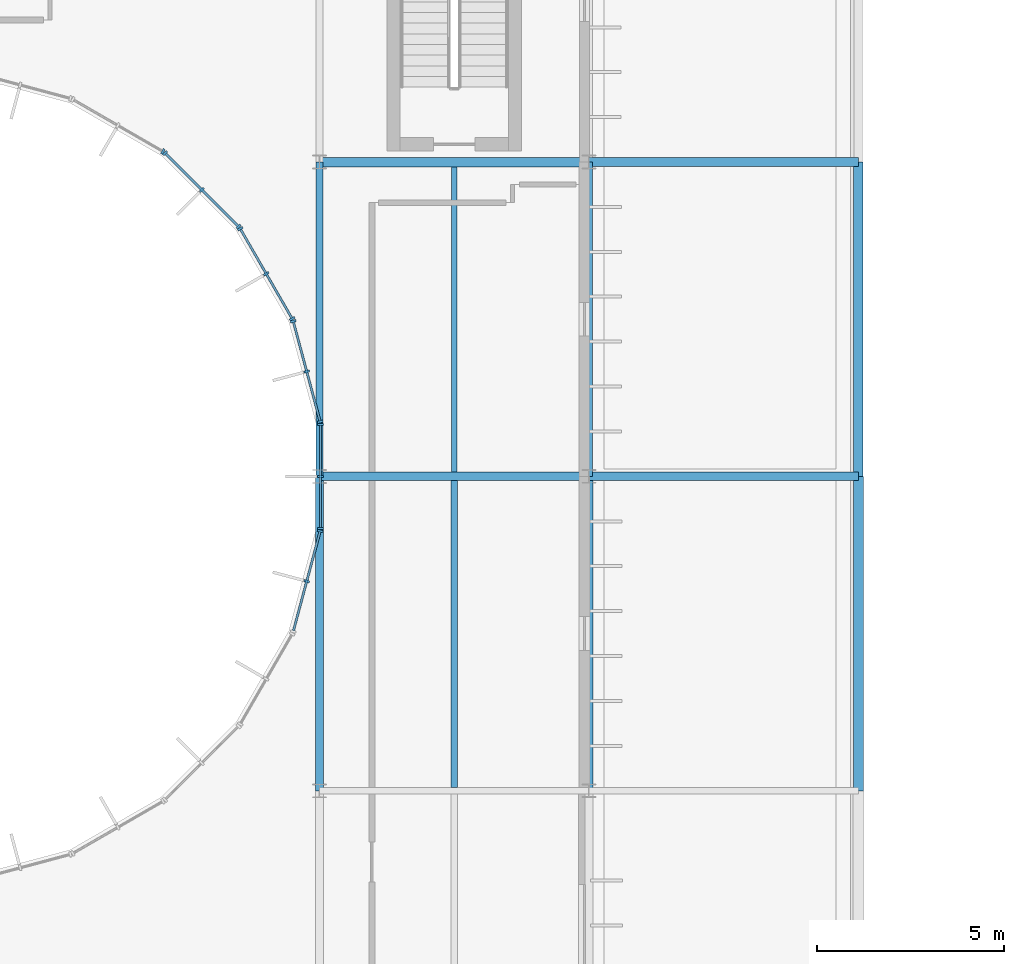
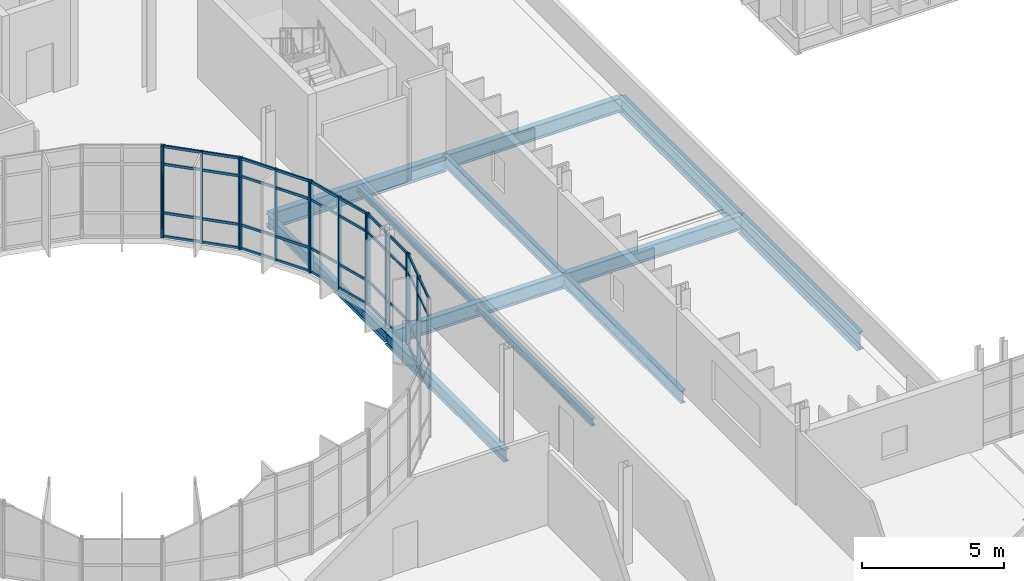
# One storey, part 43 of 99: 35 members, 12 beams, 6 elements without a shape of their own.
"""IFC4 building model written with IfcOpenShell, lengths in metres."""

from ifc_helpers import new_model, si_unit, direction, frame, origin, origin_2d, place, context, subcontext, project, spatial, rectangle, i_section, extrude, material, material_profile, profile_set, type_object, element, aggregate, save


model = new_model("IFC4")

# Units and contexts
model_context = context("Model", 3, precision=1e-05, world=origin(), true_north=direction((0.0, 1.0)))
body_context = subcontext(model_context, "Body", "Model", "MODEL_VIEW")
ifc_project = project(units=[si_unit("LENGTHUNIT", "METRE"), si_unit("AREAUNIT", "SQUARE_METRE"), si_unit("VOLUMEUNIT", "CUBIC_METRE"), si_unit("PLANEANGLEUNIT", "RADIAN"), si_unit("MASSUNIT", "GRAM", prefix="KILO")], contexts=[model_context])

# Site, building, storey
site_placement = place(None, origin())
site = spatial("IfcSite", under=ifc_project, at=site_placement, CompositionType="ELEMENT")
building_placement = place(site_placement, origin())
building = spatial("IfcBuilding", under=site, at=building_placement, Name="Qelthora Terrace Specialist Clinic", CompositionType="ELEMENT")
storey_placement = place(building_placement, frame((0.0, 0.0, 9.0)))
storey = spatial("IfcBuildingStorey", under=building, at=storey_placement, Name="L02", CompositionType="ELEMENT", Elevation=9.0)

# Beams
ifc_material_1 = material(Name="Steel S355", Category="steel")
ifc_material_profile_1 = material_profile(ifc_material_1, i_section(OverallWidth=0.193115234375, OverallDepth=0.466064453125, WebThickness=0.011474609375, FlangeThickness=0.01904296875, FilletRadius=0.012939453125, at=origin_2d()), Name="W460X97")
ifc_profile_set_1 = profile_set([ifc_material_profile_1], Name="Steel S355")
beam_type_1 = type_object("IfcBeamType", Name="BM-W460X97", PredefinedType="BEAM", material=ifc_profile_set_1)
for number, where, z_axis, x_axis, name in (
    (1, (36.0, 84.0, -0.48291015625), (0.0, 1.0, 0.0), (-1.0, 0.0, 0.0), "Girder BMY-L02-0787"),
    (2, (43.199951171875, 84.0, -0.48291015625), (0.0, 1.0, 0.0), (-1.0, 0.0, 0.0), "Girder BMY-L02-0797"),
):
    element("IfcBeam", number, at=place(storey_placement, frame(where, z_axis=z_axis, x_axis=x_axis)), inside=storey, type_object=beam_type_1, Name=name, PredefinedType="BEAM", context=body_context, shape_type="SweptSolid", body=[
        extrude(i_section(OverallWidth=0.193115234375, OverallDepth=0.466064453125, WebThickness=0.011474609375, FlangeThickness=0.01904296875, FilletRadius=0.012939453125, at=origin_2d()), origin(), (0.0, 0.0, 1.0), 8.39990234375),
    ])
ifc_material_profile_2 = material_profile(ifc_material_1, i_section(OverallWidth=0.2099609375, OverallDepth=0.537109375, WebThickness=0.010986328125, FlangeThickness=0.017333984375, FilletRadius=0.013916015625, at=origin_2d()), Name="W530X101")
ifc_profile_set_2 = profile_set([ifc_material_profile_2], Name="Steel S355")
beam_type_2 = type_object("IfcBeamType", Name="BM-W530X101", PredefinedType="BEAM", material=ifc_profile_set_2)
for number, where, z_axis, x_axis, name in (
    (3, (36.0, 75.60009765625, -0.5185546875), (0.0, 1.0, 0.0), (-1.0, 0.0, 0.0), "Girder BMY-L02-0786"),
    (4, (43.199951171875, 75.60009765625, -0.5185546875), (0.0, 1.0, 0.0), (-1.0, 0.0, 0.0), "Girder BMY-L02-0796"),
):
    element("IfcBeam", number, at=place(storey_placement, frame(where, z_axis=z_axis, x_axis=x_axis)), inside=storey, type_object=beam_type_2, Name=name, PredefinedType="BEAM", context=body_context, shape_type="SweptSolid", body=[
        extrude(i_section(OverallWidth=0.2099609375, OverallDepth=0.537109375, WebThickness=0.010986328125, FlangeThickness=0.017333984375, FilletRadius=0.013916015625, at=origin_2d()), origin(), (0.0, 0.0, 1.0), 8.39990234375),
    ])
ifc_material_profile_3 = material_profile(ifc_material_1, i_section(OverallWidth=0.22900390625, OverallDepth=0.612060546875, WebThickness=0.011962890625, FlangeThickness=0.01953125, FilletRadius=0.01611328125, at=origin_2d()), Name="W610X125")
ifc_profile_set_3 = profile_set([ifc_material_profile_3], Name="Steel S355")
beam_type_3 = type_object("IfcBeamType", Name="BM-W610X125", PredefinedType="BEAM", material=ifc_profile_set_3)
beam_1_placement = place(storey_placement, frame((43.199951171875, 84.0, -0.555908203125), z_axis=(1.0, 0.0, 0.0), x_axis=(0.0, 1.0, 0.0)))
element("IfcBeam", 5, at=beam_1_placement, inside=storey, type_object=beam_type_3, Name="Girder BMX-L02-0676", PredefinedType="BEAM", context=body_context, shape_type="SweptSolid", body=[
    extrude(i_section(OverallWidth=0.22900390625, OverallDepth=0.612060546875, WebThickness=0.011962890625, FlangeThickness=0.01953125, FilletRadius=0.01611328125, at=origin_2d()), origin(), (0.0, 0.0, 1.0), 7.199951171875),
])
ifc_material_profile_4 = material_profile(ifc_material_1, i_section(OverallWidth=0.22998046875, OverallDepth=0.616943359375, WebThickness=0.01318359375, FlangeThickness=0.022216796875, FilletRadius=0.01611328125, at=origin_2d()), Name="W610X140")
ifc_profile_set_4 = profile_set([ifc_material_profile_4], Name="Steel S355")
beam_type_4 = type_object("IfcBeamType", Name="BM-W610X140", PredefinedType="BEAM", material=ifc_profile_set_4)
for number, where, z_axis, x_axis, name in (
    (6, (36.0, 84.0, -0.55859375), (1.0, 0.0, 0.0), (0.0, 1.0, 0.0), "Girder BMX-L02-0675"),
    (7, (43.199951171875, 92.39990234375, -0.55859375), (1.0, 0.0, 0.0), (0.0, 1.0, 0.0), "Girder BMX-L02-0689"),
):
    element("IfcBeam", number, at=place(storey_placement, frame(where, z_axis=z_axis, x_axis=x_axis)), inside=storey, type_object=beam_type_4, Name=name, PredefinedType="BEAM", context=body_context, shape_type="SweptSolid", body=[
        extrude(i_section(OverallWidth=0.22998046875, OverallDepth=0.616943359375, WebThickness=0.01318359375, FlangeThickness=0.022216796875, FilletRadius=0.01611328125, at=origin_2d()), origin(), (0.0, 0.0, 1.0), 7.199951171875),
    ])
ifc_material_profile_5 = material_profile(ifc_material_1, i_section(OverallWidth=0.25390625, OverallDepth=0.68798828125, WebThickness=0.01318359375, FlangeThickness=0.02099609375, FilletRadius=0.01806640625, at=origin_2d()), Name="W690X152")
ifc_profile_set_5 = profile_set([ifc_material_profile_5], Name="Steel S355")
beam_type_5 = type_object("IfcBeamType", Name="BM-W690X152", PredefinedType="BEAM", material=ifc_profile_set_5)
beam_2_placement = place(storey_placement, frame((36.0, 92.39990234375, -0.593994140625), z_axis=(1.0, 0.0, 0.0), x_axis=(0.0, 1.0, 0.0)))
element("IfcBeam", 8, at=beam_2_placement, inside=storey, type_object=beam_type_5, Name="Girder BMX-L02-0688", PredefinedType="BEAM", context=body_context, shape_type="SweptSolid", body=[
    extrude(i_section(OverallWidth=0.25390625, OverallDepth=0.68798828125, WebThickness=0.01318359375, FlangeThickness=0.02099609375, FilletRadius=0.01806640625, at=origin_2d()), origin(), (0.0, 0.0, 1.0), 7.199951171875),
])
ifc_material_profile_6 = material_profile(ifc_material_1, i_section(OverallWidth=0.256103515625, OverallDepth=0.693115234375, WebThickness=0.014404296875, FlangeThickness=0.023681640625, FilletRadius=0.01806640625, at=origin_2d()), Name="W690X170")
ifc_profile_set_6 = profile_set([ifc_material_profile_6], Name="Steel S355")
beam_type_6 = type_object("IfcBeamType", Name="BM-W690X170", PredefinedType="BEAM", material=ifc_profile_set_6)
beam_3_placement = place(storey_placement, frame((50.39990234375, 84.0, -0.596435546875), z_axis=(0.0, 1.0, 0.0), x_axis=(-1.0, 0.0, 0.0)))
element("IfcBeam", 9, at=beam_3_placement, inside=storey, type_object=beam_type_6, Name="Girder BMY-L02-0803", PredefinedType="BEAM", context=body_context, shape_type="SweptSolid", body=[
    extrude(i_section(OverallWidth=0.256103515625, OverallDepth=0.693115234375, WebThickness=0.014404296875, FlangeThickness=0.023681640625, FilletRadius=0.01806640625, at=origin_2d()), origin(), (0.0, 0.0, 1.0), 8.39990234375),
])
ifc_material_profile_7 = material_profile(ifc_material_1, i_section(OverallWidth=0.26806640625, OverallDepth=0.77001953125, WebThickness=0.015625, FlangeThickness=0.025390625, FilletRadius=0.01904296875, at=origin_2d()), Name="W760X196")
ifc_profile_set_7 = profile_set([ifc_material_profile_7], Name="Steel S355")
beam_type_7 = type_object("IfcBeamType", Name="BM-W760X196", PredefinedType="BEAM", material=ifc_profile_set_7)
beam_4_placement = place(storey_placement, frame((50.39990234375, 75.60009765625, -0.635009765625), z_axis=(0.0, 1.0, 0.0), x_axis=(-1.0, 0.0, 0.0)))
element("IfcBeam", 10, at=beam_4_placement, inside=storey, type_object=beam_type_7, Name="Girder BMY-L02-0802", PredefinedType="BEAM", context=body_context, shape_type="SweptSolid", body=[
    extrude(i_section(OverallWidth=0.26806640625, OverallDepth=0.77001953125, WebThickness=0.015625, FlangeThickness=0.025390625, FilletRadius=0.01904296875, at=origin_2d()), origin(), (0.0, 0.0, 1.0), 8.39990234375),
])

# Curtain wall, members
ifc_material_2 = material(Name="Aluminium anodized bronze", Category="aluminium")
curtain_wall_type = type_object("IfcCurtainWallType", Name="CW-CRTW-UPP", PredefinedType="NOTDEFINED", material=ifc_material_2)
curtain_wall_1_placement = place(storey_placement, origin())
curtain_wall_1 = element("IfcCurtainWall", 11, at=curtain_wall_1_placement, inside=storey, type_object=curtain_wall_type, Name="Curtain wall CW-CW-L02-01", PredefinedType="NOTDEFINED")
ifc_material_profile_8 = material_profile(ifc_material_2, rectangle(XDim=0.06005859375, YDim=0.14990234375, at=origin_2d()), Name="CWM60X150")
ifc_profile_set_8 = profile_set([ifc_material_profile_8], Name="Aluminium anodized bronze")
member_type_1 = type_object("IfcMemberType", Name="CWM-60X150", PredefinedType="MULLION", material=ifc_profile_set_8)
member_1_placement = place(storey_placement, frame((36.018310546875, 85.4599609375, 0.0), z_axis=(0.0, 0.0, 1.0), x_axis=(-0.258820356987, 0.96592547477, 0.0)))
member_1 = element("IfcMember", 12, at=member_1_placement, type_object=member_type_1, Name="CW-CW-L02-01 mullion 1", PredefinedType="MULLION", context=body_context, shape_type="SweptSolid", body=[
    extrude(rectangle(XDim=0.06005859375, YDim=0.14990234375, at=origin_2d()), origin(), (0.0, 0.0, 1.0), 3.945068359375),
])
member_2_placement = place(storey_placement, frame((35.65869140625, 86.802490234375, 0.0), z_axis=(0.0, 0.0, 1.0), x_axis=(-0.258820356987, 0.96592547477, 0.0)))
member_2 = element("IfcMember", 13, at=member_2_placement, type_object=member_type_1, Name="CW-CW-L02-01 mullion 2", PredefinedType="MULLION", context=body_context, shape_type="SweptSolid", body=[
    extrude(rectangle(XDim=0.06005859375, YDim=0.14990234375, at=origin_2d()), origin(), (0.0, 0.0, 1.0), 3.945068359375),
])
member_3_placement = place(storey_placement, frame((35.299072265625, 88.144775390625, 0.0), z_axis=(0.0, 0.0, 1.0), x_axis=(-0.258820356987, 0.96592547477, 0.0)))
member_3 = element("IfcMember", 14, at=member_3_placement, type_object=member_type_1, Name="CW-CW-L02-01 mullion 3", PredefinedType="MULLION", context=body_context, shape_type="SweptSolid", body=[
    extrude(rectangle(XDim=0.06005859375, YDim=0.14990234375, at=origin_2d()), origin(), (0.0, 0.0, 1.0), 3.945068359375),
])

curtain_wall_2_placement = place(storey_placement, origin())
curtain_wall_2 = element("IfcCurtainWall", 15, at=curtain_wall_2_placement, inside=storey, type_object=curtain_wall_type, Name="Curtain wall CW-CW-L02-02", PredefinedType="NOTDEFINED")
member_4_placement = place(storey_placement, frame((35.271728515625, 88.210205078125, 0.0), z_axis=(0.0, 0.0, 1.0), x_axis=(-0.499999597971, 0.866025635896, 0.0)))
member_4 = element("IfcMember", 16, at=member_4_placement, type_object=member_type_1, Name="CW-CW-L02-02 mullion 1", PredefinedType="MULLION", context=body_context, shape_type="SweptSolid", body=[
    extrude(rectangle(XDim=0.06005859375, YDim=0.14990234375, at=origin_2d()), origin(), (0.0, 0.0, 1.0), 3.945068359375),
])
member_5_placement = place(storey_placement, frame((34.576904296875, 89.413818359375, 0.0), z_axis=(0.0, 0.0, 1.0), x_axis=(-0.499999597971, 0.866025635896, 0.0)))
member_5 = element("IfcMember", 17, at=member_5_placement, type_object=member_type_1, Name="CW-CW-L02-02 mullion 2", PredefinedType="MULLION", context=body_context, shape_type="SweptSolid", body=[
    extrude(rectangle(XDim=0.06005859375, YDim=0.14990234375, at=origin_2d()), origin(), (0.0, 0.0, 1.0), 3.945068359375),
])
member_6_placement = place(storey_placement, frame((33.882080078125, 90.6171875, 0.0), z_axis=(0.0, 0.0, 1.0), x_axis=(-0.499999597971, 0.866025635896, 0.0)))
member_6 = element("IfcMember", 18, at=member_6_placement, type_object=member_type_1, Name="CW-CW-L02-02 mullion 3", PredefinedType="MULLION", context=body_context, shape_type="SweptSolid", body=[
    extrude(rectangle(XDim=0.06005859375, YDim=0.14990234375, at=origin_2d()), origin(), (0.0, 0.0, 1.0), 3.945068359375),
])

curtain_wall_3_placement = place(storey_placement, origin())
curtain_wall_3 = element("IfcCurtainWall", 19, at=curtain_wall_3_placement, inside=storey, type_object=curtain_wall_type, Name="Curtain wall CW-CW-L02-03", PredefinedType="NOTDEFINED")
member_7_placement = place(storey_placement, frame((33.8388671875, 90.673583984375, 0.0), z_axis=(0.0, 0.0, 1.0), x_axis=(-0.707106781187, 0.707106781187, 0.0)))
member_7 = element("IfcMember", 20, at=member_7_placement, type_object=member_type_1, Name="CW-CW-L02-03 mullion 1", PredefinedType="MULLION", context=body_context, shape_type="SweptSolid", body=[
    extrude(rectangle(XDim=0.06005859375, YDim=0.14990234375, at=origin_2d()), origin(), (0.0, 0.0, 1.0), 3.945068359375),
])
member_8_placement = place(storey_placement, frame((32.856201171875, 91.65625, 0.0), z_axis=(0.0, 0.0, 1.0), x_axis=(-0.707106781187, 0.707106781187, 0.0)))
member_8 = element("IfcMember", 21, at=member_8_placement, type_object=member_type_1, Name="CW-CW-L02-03 mullion 2", PredefinedType="MULLION", context=body_context, shape_type="SweptSolid", body=[
    extrude(rectangle(XDim=0.06005859375, YDim=0.14990234375, at=origin_2d()), origin(), (0.0, 0.0, 1.0), 3.945068359375),
])
member_9_placement = place(storey_placement, frame((31.87353515625, 92.638916015625, 0.0), z_axis=(0.0, 0.0, 1.0), x_axis=(-0.707106781187, 0.707106781187, 0.0)))
member_9 = element("IfcMember", 22, at=member_9_placement, type_object=member_type_1, Name="CW-CW-L02-03 mullion 3", PredefinedType="MULLION", context=body_context, shape_type="SweptSolid", body=[
    extrude(rectangle(XDim=0.06005859375, YDim=0.14990234375, at=origin_2d()), origin(), (0.0, 0.0, 1.0), 3.945068359375),
])

# Curtain wall, member
curtain_wall_4_placement = place(storey_placement, origin())
curtain_wall_4 = element("IfcCurtainWall", 23, at=curtain_wall_4_placement, inside=storey, type_object=curtain_wall_type, Name="Curtain wall CW-CW-L02-04", PredefinedType="NOTDEFINED")
member_10_placement = place(storey_placement, frame((31.8173828125, 92.68212890625, 0.0), z_axis=(0.0, 0.0, 1.0), x_axis=(-0.866025635896, 0.499999597971, 0.0)))
member_10 = element("IfcMember", 24, at=member_10_placement, type_object=member_type_1, Name="CW-CW-L02-04 mullion 1", PredefinedType="MULLION", context=body_context, shape_type="SweptSolid", body=[
    extrude(rectangle(XDim=0.06005859375, YDim=0.14990234375, at=origin_2d()), origin(), (0.0, 0.0, 1.0), 3.945068359375),
])
aggregate(curtain_wall_4, [member_10])

# Curtain wall, members
curtain_wall_5_placement = place(storey_placement, origin())
curtain_wall_5 = element("IfcCurtainWall", 25, at=curtain_wall_5_placement, inside=storey, type_object=curtain_wall_type, Name="Curtain wall CW-CW-L02-23", PredefinedType="NOTDEFINED")
member_11_placement = place(storey_placement, frame((35.65869140625, 81.197509765625, 0.0), z_axis=(0.0, 0.0, 1.0), x_axis=(0.258820356987, 0.96592547477, 0.0)))
member_11 = element("IfcMember", 26, at=member_11_placement, type_object=member_type_1, Name="CW-CW-L02-23 mullion 2", PredefinedType="MULLION", context=body_context, shape_type="SweptSolid", body=[
    extrude(rectangle(XDim=0.06005859375, YDim=0.14990234375, at=origin_2d()), origin(), (0.0, 0.0, 1.0), 3.945068359375),
])
member_12_placement = place(storey_placement, frame((36.018310546875, 82.5400390625, 0.0), z_axis=(0.0, 0.0, 1.0), x_axis=(0.258820356987, 0.96592547477, 0.0)))
member_12 = element("IfcMember", 27, at=member_12_placement, type_object=member_type_1, Name="CW-CW-L02-23 mullion 3", PredefinedType="MULLION", context=body_context, shape_type="SweptSolid", body=[
    extrude(rectangle(XDim=0.06005859375, YDim=0.14990234375, at=origin_2d()), origin(), (0.0, 0.0, 1.0), 3.945068359375),
])

curtain_wall_6_placement = place(storey_placement, origin())
curtain_wall_6 = element("IfcCurtainWall", 28, at=curtain_wall_6_placement, inside=storey, type_object=curtain_wall_type, Name="Curtain wall CW-CW-L02-24", PredefinedType="NOTDEFINED")
member_13_placement = place(storey_placement, frame((36.027587890625, 82.6103515625, 0.0), z_axis=(0.0, 0.0, 1.0), x_axis=(0.0, 1.0, 0.0)))
member_13 = element("IfcMember", 29, at=member_13_placement, type_object=member_type_1, Name="CW-CW-L02-24 mullion 1", PredefinedType="MULLION", context=body_context, shape_type="SweptSolid", body=[
    extrude(rectangle(XDim=0.06005859375, YDim=0.14990234375, at=origin_2d()), origin(), (0.0, 0.0, 1.0), 3.945068359375),
])
member_14_placement = place(storey_placement, frame((36.027587890625, 84.0, 0.0), z_axis=(0.0, 0.0, 1.0), x_axis=(0.0, 1.0, 0.0)))
member_14 = element("IfcMember", 30, at=member_14_placement, type_object=member_type_1, Name="CW-CW-L02-24 mullion 2", PredefinedType="MULLION", context=body_context, shape_type="SweptSolid", body=[
    extrude(rectangle(XDim=0.06005859375, YDim=0.14990234375, at=origin_2d()), origin(), (0.0, 0.0, 1.0), 3.945068359375),
])
member_15_placement = place(storey_placement, frame((36.027587890625, 85.3896484375, 0.0), z_axis=(0.0, 0.0, 1.0), x_axis=(0.0, 1.0, 0.0)))
member_15 = element("IfcMember", 31, at=member_15_placement, type_object=member_type_1, Name="CW-CW-L02-24 mullion 3", PredefinedType="MULLION", context=body_context, shape_type="SweptSolid", body=[
    extrude(rectangle(XDim=0.06005859375, YDim=0.14990234375, at=origin_2d()), origin(), (0.0, 0.0, 1.0), 3.945068359375),
])

# Member
ifc_material_profile_9 = material_profile(ifc_material_2, rectangle(XDim=0.06005859375, YDim=0.110107421875, at=origin_2d()), Name="CWT60X110")
ifc_profile_set_9 = profile_set([ifc_material_profile_9], Name="Aluminium anodized bronze")
member_type_2 = type_object("IfcMemberType", Name="CWT-60X110", PredefinedType="USERDEFINED", material=ifc_profile_set_9)
member_16_placement = place(storey_placement, frame((36.01318359375, 85.4794921875, 0.0400390625), z_axis=(-0.258816272122, 0.965926569303, 0.0), x_axis=(-0.965926569303, -0.258816272122, 0.0)))
member_16 = element("IfcMember", 32, at=member_16_placement, type_object=member_type_2, Name="CW-CW-L02-01 transom 1", ObjectType="TRANSOM", PredefinedType="USERDEFINED", context=body_context, shape_type="SweptSolid", body=[
    extrude(rectangle(XDim=0.06005859375, YDim=0.110107421875, at=origin_2d()), origin(), (0.0, 0.0, 1.0), 2.7392578125),
])

member_17_placement = place(storey_placement, frame((36.01318359375, 85.4794921875, 1.050048828125), z_axis=(-0.258816272122, 0.965926569303, 0.0), x_axis=(-0.965926569303, -0.258816272122, 0.0)))
member_17 = element("IfcMember", 33, at=member_17_placement, type_object=member_type_2, Name="CW-CW-L02-01 transom 2", ObjectType="TRANSOM", PredefinedType="USERDEFINED", context=body_context, shape_type="SweptSolid", body=[
    extrude(rectangle(XDim=0.06005859375, YDim=0.110107421875, at=origin_2d()), origin(), (0.0, 0.0, 1.0), 2.7392578125),
])

member_18_placement = place(storey_placement, frame((36.01318359375, 85.4794921875, 3.14501953125), z_axis=(-0.258816272122, 0.965926569303, 0.0), x_axis=(-0.965926569303, -0.258816272122, 0.0)))
member_18 = element("IfcMember", 34, at=member_18_placement, type_object=member_type_2, Name="CW-CW-L02-01 transom 3", ObjectType="TRANSOM", PredefinedType="USERDEFINED", context=body_context, shape_type="SweptSolid", body=[
    extrude(rectangle(XDim=0.06005859375, YDim=0.110107421875, at=origin_2d()), origin(), (0.0, 0.0, 1.0), 2.7392578125),
])

member_19_placement = place(storey_placement, frame((36.01318359375, 85.4794921875, 3.905029296875), z_axis=(-0.258816272122, 0.965926569303, 0.0), x_axis=(-0.965926569303, -0.258816272122, 0.0)))
member_19 = element("IfcMember", 35, at=member_19_placement, type_object=member_type_2, Name="CW-CW-L02-01 transom 4", ObjectType="TRANSOM", PredefinedType="USERDEFINED", context=body_context, shape_type="SweptSolid", body=[
    extrude(rectangle(XDim=0.06005859375, YDim=0.110107421875, at=origin_2d()), origin(), (0.0, 0.0, 1.0), 2.7392578125),
])

aggregate(curtain_wall_1, [member_1, member_2, member_3, member_16, member_17, member_18, member_19])

member_20_placement = place(storey_placement, frame((35.26171875, 88.2275390625, 0.0400390625), z_axis=(-0.499953886166, 0.866052025982, 0.0), x_axis=(-0.866052025982, -0.499953886166, 0.0)))
member_20 = element("IfcMember", 36, at=member_20_placement, type_object=member_type_2, Name="CW-CW-L02-02 transom 1", ObjectType="TRANSOM", PredefinedType="USERDEFINED", context=body_context, shape_type="SweptSolid", body=[
    extrude(rectangle(XDim=0.06005859375, YDim=0.110107421875, at=origin_2d()), origin(), (0.0, 0.0, 1.0), 2.739501953125),
])

member_21_placement = place(storey_placement, frame((35.26171875, 88.2275390625, 1.050048828125), z_axis=(-0.499953886166, 0.866052025982, 0.0), x_axis=(-0.866052025982, -0.499953886166, 0.0)))
member_21 = element("IfcMember", 37, at=member_21_placement, type_object=member_type_2, Name="CW-CW-L02-02 transom 2", ObjectType="TRANSOM", PredefinedType="USERDEFINED", context=body_context, shape_type="SweptSolid", body=[
    extrude(rectangle(XDim=0.06005859375, YDim=0.110107421875, at=origin_2d()), origin(), (0.0, 0.0, 1.0), 2.739501953125),
])

member_22_placement = place(storey_placement, frame((35.26171875, 88.2275390625, 3.14501953125), z_axis=(-0.499953886166, 0.866052025982, 0.0), x_axis=(-0.866052025982, -0.499953886166, 0.0)))
member_22 = element("IfcMember", 38, at=member_22_placement, type_object=member_type_2, Name="CW-CW-L02-02 transom 3", ObjectType="TRANSOM", PredefinedType="USERDEFINED", context=body_context, shape_type="SweptSolid", body=[
    extrude(rectangle(XDim=0.06005859375, YDim=0.110107421875, at=origin_2d()), origin(), (0.0, 0.0, 1.0), 2.739501953125),
])

member_23_placement = place(storey_placement, frame((35.26171875, 88.2275390625, 3.905029296875), z_axis=(-0.499953886166, 0.866052025982, 0.0), x_axis=(-0.866052025982, -0.499953886166, 0.0)))
member_23 = element("IfcMember", 39, at=member_23_placement, type_object=member_type_2, Name="CW-CW-L02-02 transom 4", ObjectType="TRANSOM", PredefinedType="USERDEFINED", context=body_context, shape_type="SweptSolid", body=[
    extrude(rectangle(XDim=0.06005859375, YDim=0.110107421875, at=origin_2d()), origin(), (0.0, 0.0, 1.0), 2.739501953125),
])

aggregate(curtain_wall_2, [member_4, member_5, member_6, member_20, member_21, member_22, member_23])

member_24_placement = place(storey_placement, frame((33.82470703125, 90.687744140625, 0.0400390625), z_axis=(-0.707106781187, 0.707106781187, 0.0), x_axis=(-0.707106781187, -0.707106781187, 0.0)))
member_24 = element("IfcMember", 40, at=member_24_placement, type_object=member_type_2, Name="CW-CW-L02-03 transom 1", ObjectType="TRANSOM", PredefinedType="USERDEFINED", context=body_context, shape_type="SweptSolid", body=[
    extrude(rectangle(XDim=0.06005859375, YDim=0.110107421875, at=origin_2d()), origin(), (0.0, 0.0, 1.0), 2.7392578125),
])

member_25_placement = place(storey_placement, frame((33.82470703125, 90.687744140625, 1.050048828125), z_axis=(-0.707106781187, 0.707106781187, 0.0), x_axis=(-0.707106781187, -0.707106781187, 0.0)))
member_25 = element("IfcMember", 41, at=member_25_placement, type_object=member_type_2, Name="CW-CW-L02-03 transom 2", ObjectType="TRANSOM", PredefinedType="USERDEFINED", context=body_context, shape_type="SweptSolid", body=[
    extrude(rectangle(XDim=0.06005859375, YDim=0.110107421875, at=origin_2d()), origin(), (0.0, 0.0, 1.0), 2.7392578125),
])

member_26_placement = place(storey_placement, frame((33.82470703125, 90.687744140625, 3.14501953125), z_axis=(-0.707106781187, 0.707106781187, 0.0), x_axis=(-0.707106781187, -0.707106781187, 0.0)))
member_26 = element("IfcMember", 42, at=member_26_placement, type_object=member_type_2, Name="CW-CW-L02-03 transom 3", ObjectType="TRANSOM", PredefinedType="USERDEFINED", context=body_context, shape_type="SweptSolid", body=[
    extrude(rectangle(XDim=0.06005859375, YDim=0.110107421875, at=origin_2d()), origin(), (0.0, 0.0, 1.0), 2.7392578125),
])

member_27_placement = place(storey_placement, frame((33.82470703125, 90.687744140625, 3.905029296875), z_axis=(-0.707106781187, 0.707106781187, 0.0), x_axis=(-0.707106781187, -0.707106781187, 0.0)))
member_27 = element("IfcMember", 43, at=member_27_placement, type_object=member_type_2, Name="CW-CW-L02-03 transom 4", ObjectType="TRANSOM", PredefinedType="USERDEFINED", context=body_context, shape_type="SweptSolid", body=[
    extrude(rectangle(XDim=0.06005859375, YDim=0.110107421875, at=origin_2d()), origin(), (0.0, 0.0, 1.0), 2.7392578125),
])

aggregate(curtain_wall_3, [member_7, member_8, member_9, member_24, member_25, member_26, member_27])

member_28_placement = place(storey_placement, frame((35.30419921875, 79.87451171875, 0.0400390625), z_axis=(0.258816272122, 0.965926569303, 0.0), x_axis=(-0.965926569303, 0.258816272122, 0.0)))
member_28 = element("IfcMember", 44, at=member_28_placement, type_object=member_type_2, Name="CW-CW-L02-23 transom 1", ObjectType="TRANSOM", PredefinedType="USERDEFINED", context=body_context, shape_type="SweptSolid", body=[
    extrude(rectangle(XDim=0.06005859375, YDim=0.110107421875, at=origin_2d()), origin(), (0.0, 0.0, 1.0), 2.7392578125),
])

member_29_placement = place(storey_placement, frame((35.30419921875, 79.87451171875, 1.050048828125), z_axis=(0.258816272122, 0.965926569303, 0.0), x_axis=(-0.965926569303, 0.258816272122, 0.0)))
member_29 = element("IfcMember", 45, at=member_29_placement, type_object=member_type_2, Name="CW-CW-L02-23 transom 2", ObjectType="TRANSOM", PredefinedType="USERDEFINED", context=body_context, shape_type="SweptSolid", body=[
    extrude(rectangle(XDim=0.06005859375, YDim=0.110107421875, at=origin_2d()), origin(), (0.0, 0.0, 1.0), 2.7392578125),
])

member_30_placement = place(storey_placement, frame((35.30419921875, 79.87451171875, 3.14501953125), z_axis=(0.258816272122, 0.965926569303, 0.0), x_axis=(-0.965926569303, 0.258816272122, 0.0)))
member_30 = element("IfcMember", 46, at=member_30_placement, type_object=member_type_2, Name="CW-CW-L02-23 transom 3", ObjectType="TRANSOM", PredefinedType="USERDEFINED", context=body_context, shape_type="SweptSolid", body=[
    extrude(rectangle(XDim=0.06005859375, YDim=0.110107421875, at=origin_2d()), origin(), (0.0, 0.0, 1.0), 2.7392578125),
])

member_31_placement = place(storey_placement, frame((35.30419921875, 79.87451171875, 3.905029296875), z_axis=(0.258816272122, 0.965926569303, 0.0), x_axis=(-0.965926569303, 0.258816272122, 0.0)))
member_31 = element("IfcMember", 47, at=member_31_placement, type_object=member_type_2, Name="CW-CW-L02-23 transom 4", ObjectType="TRANSOM", PredefinedType="USERDEFINED", context=body_context, shape_type="SweptSolid", body=[
    extrude(rectangle(XDim=0.06005859375, YDim=0.110107421875, at=origin_2d()), origin(), (0.0, 0.0, 1.0), 2.7392578125),
])

aggregate(curtain_wall_5, [member_11, member_12, member_28, member_29, member_30, member_31])

member_32_placement = place(storey_placement, frame((36.027587890625, 82.63037109375, 0.0400390625), z_axis=(0.0, 1.0, 0.0), x_axis=(-1.0, 0.0, 0.0)))
member_32 = element("IfcMember", 48, at=member_32_placement, type_object=member_type_2, Name="CW-CW-L02-24 transom 1", ObjectType="TRANSOM", PredefinedType="USERDEFINED", context=body_context, shape_type="SweptSolid", body=[
    extrude(rectangle(XDim=0.06005859375, YDim=0.110107421875, at=origin_2d()), origin(), (0.0, 0.0, 1.0), 2.7392578125),
])

member_33_placement = place(storey_placement, frame((36.027587890625, 82.63037109375, 1.050048828125), z_axis=(0.0, 1.0, 0.0), x_axis=(-1.0, 0.0, 0.0)))
member_33 = element("IfcMember", 49, at=member_33_placement, type_object=member_type_2, Name="CW-CW-L02-24 transom 2", ObjectType="TRANSOM", PredefinedType="USERDEFINED", context=body_context, shape_type="SweptSolid", body=[
    extrude(rectangle(XDim=0.06005859375, YDim=0.110107421875, at=origin_2d()), origin(), (0.0, 0.0, 1.0), 2.7392578125),
])

member_34_placement = place(storey_placement, frame((36.027587890625, 82.63037109375, 3.14501953125), z_axis=(0.0, 1.0, 0.0), x_axis=(-1.0, 0.0, 0.0)))
member_34 = element("IfcMember", 50, at=member_34_placement, type_object=member_type_2, Name="CW-CW-L02-24 transom 3", ObjectType="TRANSOM", PredefinedType="USERDEFINED", context=body_context, shape_type="SweptSolid", body=[
    extrude(rectangle(XDim=0.06005859375, YDim=0.110107421875, at=origin_2d()), origin(), (0.0, 0.0, 1.0), 2.7392578125),
])

member_35_placement = place(storey_placement, frame((36.027587890625, 82.63037109375, 3.905029296875), z_axis=(0.0, 1.0, 0.0), x_axis=(-1.0, 0.0, 0.0)))
member_35 = element("IfcMember", 51, at=member_35_placement, type_object=member_type_2, Name="CW-CW-L02-24 transom 4", ObjectType="TRANSOM", PredefinedType="USERDEFINED", context=body_context, shape_type="SweptSolid", body=[
    extrude(rectangle(XDim=0.06005859375, YDim=0.110107421875, at=origin_2d()), origin(), (0.0, 0.0, 1.0), 2.7392578125),
])

aggregate(curtain_wall_6, [member_13, member_14, member_15, member_32, member_33, member_34, member_35])

# Beams
ifc_material_profile_10 = material_profile(ifc_material_1, i_section(OverallWidth=0.14697265625, OverallDepth=0.261962890625, WebThickness=0.006591796875, FlangeThickness=0.01123046875, FilletRadius=0.009033203125, at=origin_2d()), Name="W250X39")
ifc_profile_set_10 = profile_set([ifc_material_profile_10], Name="Steel S355")
beam_type_8 = type_object("IfcBeamType", Name="JST-W250X39", PredefinedType="JOIST", material=ifc_profile_set_10)
beam_5_placement = place(storey_placement, frame((39.60009765625, 84.114990234375, -0.381103515625), z_axis=(0.0, 1.0, 0.0), x_axis=(-1.0, 0.0, 0.0)))
element("IfcBeam", 52, at=beam_5_placement, inside=storey, type_object=beam_type_8, Name="Composite floor joist JST-L02-0167", PredefinedType="JOIST", context=body_context, shape_type="SweptSolid", body=[
    extrude(i_section(OverallWidth=0.14697265625, OverallDepth=0.261962890625, WebThickness=0.006591796875, FlangeThickness=0.01123046875, FilletRadius=0.009033203125, at=origin_2d()), origin(), (0.0, 0.0, 1.0), 8.157958984375),
])
ifc_material_profile_11 = material_profile(ifc_material_1, i_section(OverallWidth=0.166015625, OverallDepth=0.31298828125, WebThickness=0.006591796875, FlangeThickness=0.01123046875, FilletRadius=0.010009765625, at=origin_2d()), Name="W310X45")
ifc_profile_set_11 = profile_set([ifc_material_profile_11], Name="Steel S355")
beam_type_9 = type_object("IfcBeamType", Name="JST-W310X45", PredefinedType="JOIST", material=ifc_profile_set_11)
beam_6_placement = place(storey_placement, frame((39.60009765625, 75.68994140625, -0.406494140625), z_axis=(0.0, 1.0, 0.0), x_axis=(-1.0, 0.0, 0.0)))
element("IfcBeam", 53, at=beam_6_placement, inside=storey, type_object=beam_type_9, Name="Composite floor joist JST-L02-0166", PredefinedType="JOIST", context=body_context, shape_type="SweptSolid", body=[
    extrude(i_section(OverallWidth=0.166015625, OverallDepth=0.31298828125, WebThickness=0.006591796875, FlangeThickness=0.01123046875, FilletRadius=0.010009765625, at=origin_2d()), origin(), (0.0, 0.0, 1.0), 8.195068359375),
])

save(model, "model.ifc")
